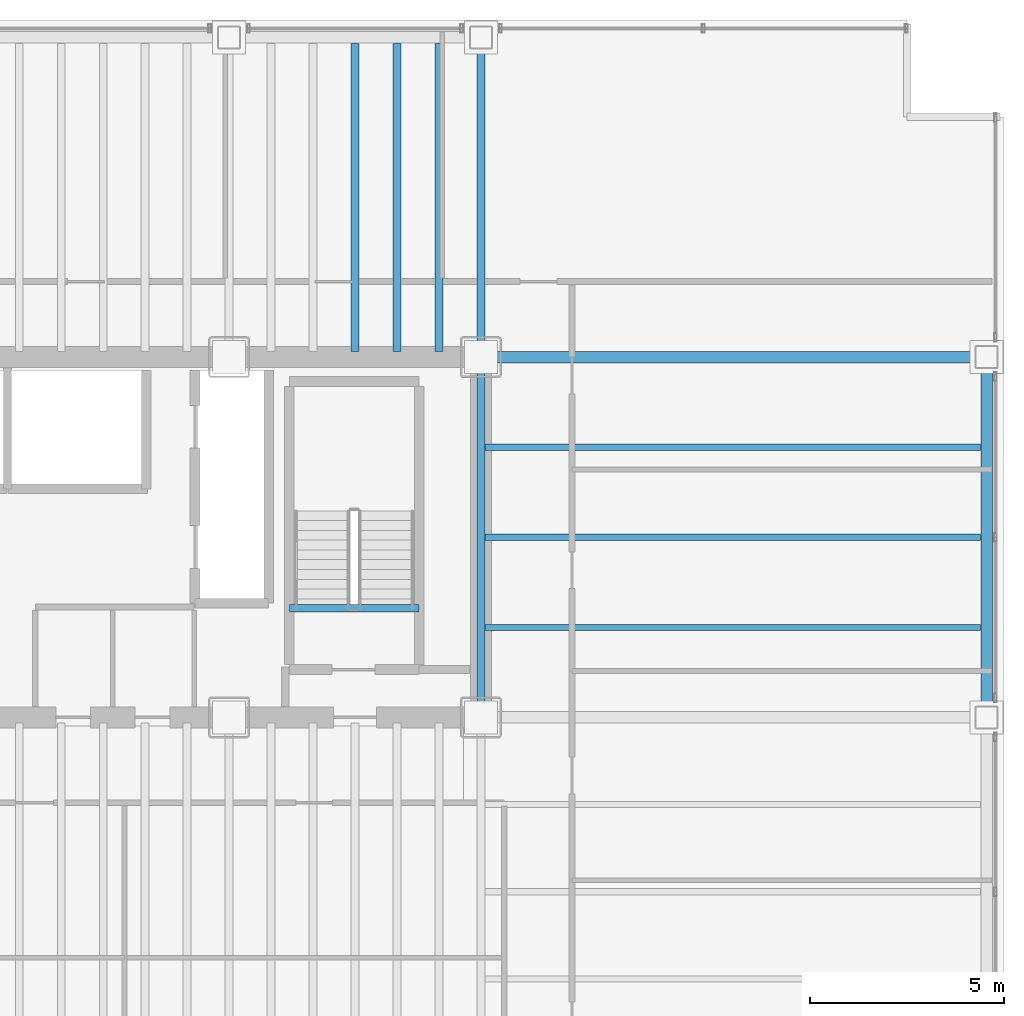
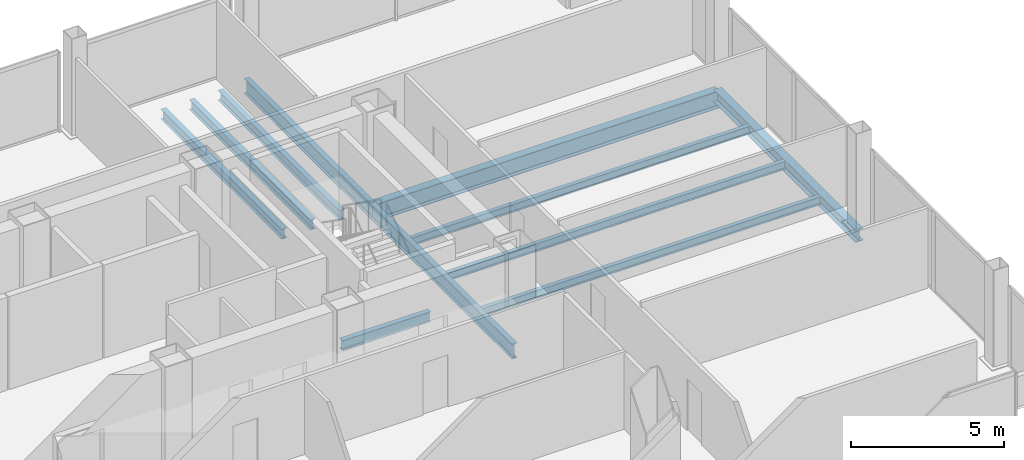
# One storey, part 11 of 20: 11 beams.
"""IFC4 building model written with IfcOpenShell, lengths in metres."""

import ifcopenshell
import ifcopenshell.guid

model = None  # the IFC model being written
_history = None  # IfcOwnerHistory: only IFC2X3 demands one
_inside = {}  # id of a spatial element -> (the spatial element, [elements in it])
_under = {}  # id of a project, library or spatial element -> (it, [spatial elements below it])
_declared = {}  # id of a project -> (the project, [libraries it declares])
_typed = {}  # id of a type object -> (the type object, [elements of that type])
_made_of = {}  # id of a material, layer set ... -> (it, [elements and type objects made of it])


def new_model(schema):
    """Start an empty IFC model of exactly this schema.

    Asked for "IFC4X3", IfcOpenShell would pick the latest addendum, in which some entities
    have other attributes; the version numbers below select the first issue.
    IFC2X3 requires an IfcOwnerHistory on every rooted entity: one is made here for all.
    """
    global model, _history
    if schema == "IFC4X3":
        model = ifcopenshell.file(schema_version=(4, 3, 0, 0))
    else:
        model = ifcopenshell.file(schema=schema)
    _inside.clear()
    _under.clear()
    _declared.clear()
    _typed.clear()
    _made_of.clear()
    _history = None
    if model.schema == "IFC2X3":
        org = make("IfcOrganization", Name="unknown")
        user = make(
            "IfcPersonAndOrganization",
            ThePerson=make("IfcPerson", FamilyName="unknown"),
            TheOrganization=org,
        )
        app = make(
            "IfcApplication",
            ApplicationDeveloper=org,
            Version="unknown",
            ApplicationFullName="unknown",
            ApplicationIdentifier="unknown",
        )
        _history = make(
            "IfcOwnerHistory",
            OwningUser=user,
            OwningApplication=app,
            ChangeAction="ADDED",
            CreationDate=0,
        )
    return model


def make(cls, **values):
    """One entity of the class cls with the attributes given. An attribute that is None is left unset."""
    return model.create_entity(
        cls, **{name: value for name, value in values.items() if value is not None}
    )


def rooted(cls, **values):
    """An entity with a GlobalId (a new one), such as an element, a storey or a relation."""
    return make(cls, GlobalId=ifcopenshell.guid.new(), OwnerHistory=_history, **values)


def si_unit(unit_type, name, prefix=None):
    """IfcSIUnit, for example si_unit("LENGTHUNIT", "METRE", prefix="MILLI")."""
    return make("IfcSIUnit", UnitType=unit_type, Prefix=prefix, Name=name)


def assignment(units):
    """IfcUnitAssignment: the units of a project."""
    return None if units is None else make("IfcUnitAssignment", Units=units)


def point(xyz):
    """IfcCartesianPoint."""
    return None if xyz is None else make("IfcCartesianPoint", Coordinates=xyz)


def direction(xyz):
    """IfcDirection."""
    return None if xyz is None else make("IfcDirection", DirectionRatios=xyz)


def frame(location, z_axis=None, x_axis=None):
    """IfcAxis2Placement3D, a coordinate frame: its origin and axes. An axis left out is left unset."""
    return make(
        "IfcAxis2Placement3D",
        Location=point(location),
        Axis=direction(z_axis),
        RefDirection=direction(x_axis),
    )


def frame_2d(location, x_axis=None):
    """IfcAxis2Placement2D, a coordinate frame in the plane: its origin and x axis."""
    return make(
        "IfcAxis2Placement2D", Location=point(location), RefDirection=direction(x_axis)
    )


def origin():
    """The frame at (0, 0, 0) with its axes left unset."""
    return frame((0.0, 0.0, 0.0))


def origin_2d():
    """The frame at (0, 0) in the plane with its x axis left unset."""
    return frame_2d((0.0, 0.0))


def place(relative_to, where):
    """IfcLocalPlacement: puts the frame where relative to a parent placement (None: the world)."""
    return make(
        "IfcLocalPlacement", PlacementRelTo=relative_to, RelativePlacement=where
    )


def context(
    kind, dimensions, precision=None, world=None, true_north=None, identifier=None
):
    """IfcGeometricRepresentationContext, for example the 3D "Model" context."""
    return make(
        "IfcGeometricRepresentationContext",
        ContextIdentifier=identifier,
        ContextType=kind,
        CoordinateSpaceDimension=dimensions,
        Precision=precision,
        WorldCoordinateSystem=world,
        TrueNorth=true_north,
    )


def subcontext(parent, identifier, kind, view, scale=None):
    """IfcGeometricRepresentationSubContext, for example "Body" below "Model"."""
    return make(
        "IfcGeometricRepresentationSubContext",
        ContextIdentifier=identifier,
        ContextType=kind,
        ParentContext=parent,
        TargetScale=scale,
        TargetView=view,
    )


def project(units=None, contexts=None):
    """IfcProject with its units and contexts."""
    return rooted(
        "IfcProject",
        Name="project",
        RepresentationContexts=contexts,
        UnitsInContext=assignment(units),
    )


def spatial(cls, under=None, at=None, **own):
    """A site, building, storey or space (cls), placed at a placement, below another one or the project."""
    s = rooted(cls, ObjectPlacement=at, **own)
    if under is not None:
        _under.setdefault(under.id(), (under, []))[1].append(s)
    return s


def profile(cls, at=None, kind="AREA", **sizes):
    """A parametric profile (cls). Its sizes go by their IFC names, for example OverallWidth=200.0."""
    return make(cls, ProfileType=kind, Position=at, **sizes)


def i_section(**sizes):
    """IfcIShapeProfileDef."""
    return profile("IfcIShapeProfileDef", **sizes)


def extrude(swept, where, along, depth):
    """IfcExtrudedAreaSolid: the profile swept, set in the frame where, extruded along a direction by depth."""
    return make(
        "IfcExtrudedAreaSolid",
        SweptArea=swept,
        Position=where,
        ExtrudedDirection=direction(along),
        Depth=depth,
    )


def shape(context_of_items, identifier, shape_type, items):
    """IfcShapeRepresentation: the items that make up one representation, for example the "Body"."""
    return make(
        "IfcShapeRepresentation",
        ContextOfItems=context_of_items,
        RepresentationIdentifier=identifier,
        RepresentationType=shape_type,
        Items=items,
    )


def material(Name=None, Category=None):
    """IfcMaterial."""
    return make("IfcMaterial", Name=Name, Category=Category)


def material_profile(
    of_material, cross_section, Name=None, Category=None, Priority=None
):
    """IfcMaterialProfile: a cross section and its material."""
    return make(
        "IfcMaterialProfile",
        Name=Name,
        Material=of_material,
        Profile=cross_section,
        Priority=Priority,
        Category=Category,
    )


def profile_set(profiles, Name=None, composite=None):
    """IfcMaterialProfileSet."""
    return make(
        "IfcMaterialProfileSet",
        Name=Name,
        MaterialProfiles=profiles,
        CompositeProfile=composite,
    )


def made_of(thing, what):
    """Note that an element or type object is made of a material, layer set ...; save() writes the relation."""
    if what is not None:
        _made_of.setdefault(what.id(), (what, []))[1].append(thing)
    return thing


def type_object(cls, material=None, **own):
    """A type object (cls), such as IfcWallType, which elements share."""
    return made_of(rooted(cls, **own), material)


def element(
    cls,
    number,
    at=None,
    inside=None,
    cuts=None,
    type_object=None,
    material=None,
    context=None,
    identifier="Body",
    shape_type=None,
    held_by="IfcProductDefinitionShape",
    body=None,
    shapes=None,
    **own,
):
    """One element of the class cls, such as IfcWall. Its Tag is "e" and its number.

    at: its placement. inside: the storey or other place that contains it. cuts: it is an
    opening in that element (IfcRelVoidsElement). A single representation is given by context,
    identifier, shape_type and body (its items); several are given by shapes. held_by: the class
    of the entity that holds the representations. save() writes the other relations.
    """
    e = rooted(cls, Tag="e%d" % number, ObjectPlacement=at, **own)
    if body is not None:
        shapes = [shape(context, identifier, shape_type, body)]
    if shapes is not None:
        e.Representation = make(held_by, Representations=shapes)
    if inside is not None:
        _inside.setdefault(inside.id(), (inside, []))[1].append(e)
    if cuts is not None:
        rooted(
            "IfcRelVoidsElement", RelatingBuildingElement=cuts, RelatedOpeningElement=e
        )
    if type_object is not None:
        _typed.setdefault(type_object.id(), (type_object, []))[1].append(e)
    return made_of(e, material)


def aggregate(whole, parts):
    """IfcRelAggregates: a whole, such as a stair, and the parts it consists of."""
    return rooted("IfcRelAggregates", RelatingObject=whole, RelatedObjects=parts)


def save(model, path):
    """Write the relations noted so far, then the file.

    IfcRelAggregates (storeys below a building ...), IfcRelContainedInSpatialStructure (elements
    in a storey), IfcRelDefinesByType, IfcRelAssociatesMaterial and IfcRelDeclares: one each for
    every whole, place, type object, material and project.
    """
    for whole, parts in _under.values():
        aggregate(whole, parts)
    for where, things in _inside.values():
        rooted(
            "IfcRelContainedInSpatialStructure",
            RelatedElements=things,
            RelatingStructure=where,
        )
    for kind, things in _typed.values():
        rooted("IfcRelDefinesByType", RelatedObjects=things, RelatingType=kind)
    for what, things in _made_of.values():
        rooted("IfcRelAssociatesMaterial", RelatedObjects=things, RelatingMaterial=what)
    for by, libraries in _declared.values():
        rooted("IfcRelDeclares", RelatingContext=by, RelatedDefinitions=libraries)
    model.write(path)


model = new_model("IFC4")

# Units and contexts
model_context = context("Model", 3, precision=1e-05, world=origin(), true_north=direction((0.0, 1.0)))
body_context = subcontext(model_context, "Body", "Model", "MODEL_VIEW")
ifc_project = project(units=[si_unit("LENGTHUNIT", "METRE"), si_unit("AREAUNIT", "SQUARE_METRE"), si_unit("VOLUMEUNIT", "CUBIC_METRE"), si_unit("PLANEANGLEUNIT", "RADIAN"), si_unit("MASSUNIT", "GRAM", prefix="KILO")], contexts=[model_context])

# Site, building, storey
site_placement = place(None, origin())
site = spatial("IfcSite", under=ifc_project, at=site_placement, CompositionType="ELEMENT")
building_placement = place(site_placement, origin())
building = spatial("IfcBuilding", under=site, at=building_placement, Name="Noeulbin Bourse Tower", CompositionType="ELEMENT")
storey_placement = place(building_placement, frame((0.0, 0.0, 65.5)))
storey = spatial("IfcBuildingStorey", under=building, at=storey_placement, Name="L16", CompositionType="ELEMENT", Elevation=65.5)

# Beams
ifc_material = material(Name="Steel S355", Category="steel")
ifc_material_profile_1 = material_profile(ifc_material, i_section(OverallWidth=0.199951171875, OverallDepth=0.60009765625, WebThickness=0.010986328125, FlangeThickness=0.01708984375, FilletRadius=0.02197265625, at=origin_2d()), Name="H-600x200x11x17", Category="LoadBearing")
ifc_profile_set_1 = profile_set([ifc_material_profile_1], Name="Steel S355")
beam_type_1 = type_object("IfcBeamType", Name="BM-GRD-600", PredefinedType="USERDEFINED", material=ifc_profile_set_1)
beam_1_placement = place(storey_placement, frame((44.0, 29.0, -0.47998046875), z_axis=(0.0, 1.0, 0.0), x_axis=(-1.0, 0.0, 0.0)))
element("IfcBeam", 1, at=beam_1_placement, inside=storey, type_object=beam_type_1, Name="Tower Primary Girder NS L16-5.3", ObjectType="GIRDER", PredefinedType="USERDEFINED", context=body_context, shape_type="SweptSolid", body=[
    extrude(i_section(OverallWidth=0.199951171875, OverallDepth=0.60009765625, WebThickness=0.010986328125, FlangeThickness=0.01708984375, FilletRadius=0.02197265625, at=origin_2d()), origin(), (0.0, 0.0, 1.0), 9.300048828125),
])
beam_2_placement = place(storey_placement, frame((44.0, 38.300048828125, -0.47998046875), z_axis=(0.0, 1.0, 0.0), x_axis=(-1.0, 0.0, 0.0)))
element("IfcBeam", 2, at=beam_2_placement, inside=storey, type_object=beam_type_1, Name="Tower Primary Girder NS L16-5.4", ObjectType="GIRDER", PredefinedType="USERDEFINED", context=body_context, shape_type="SweptSolid", body=[
    extrude(i_section(OverallWidth=0.199951171875, OverallDepth=0.60009765625, WebThickness=0.010986328125, FlangeThickness=0.01708984375, FilletRadius=0.02197265625, at=origin_2d()), origin(), (0.0, 0.0, 1.0), 8.25),
])
ifc_material_profile_2 = material_profile(ifc_material, i_section(OverallWidth=0.300048828125, OverallDepth=0.699951171875, WebThickness=0.012939453125, FlangeThickness=0.02392578125, FilletRadius=0.02392578125, at=origin_2d()), Name="H-700x300x13x24", Category="LoadBearing")
ifc_profile_set_2 = profile_set([ifc_material_profile_2], Name="Steel S355")
beam_type_2 = type_object("IfcBeamType", Name="BM-GRD-700", PredefinedType="USERDEFINED", material=ifc_profile_set_2)
beam_3_placement = place(storey_placement, frame((44.0, 38.300048828125, -0.530029296875), z_axis=(1.0, 0.0, 0.0), x_axis=(0.0, 1.0, 0.0)))
element("IfcBeam", 3, at=beam_3_placement, inside=storey, type_object=beam_type_2, Name="Tower Primary Girder EW L16-3.6", ObjectType="GIRDER", PredefinedType="USERDEFINED", context=body_context, shape_type="SweptSolid", body=[
    extrude(i_section(OverallWidth=0.300048828125, OverallDepth=0.699951171875, WebThickness=0.012939453125, FlangeThickness=0.02392578125, FilletRadius=0.02392578125, at=origin_2d()), origin(), (0.0, 0.0, 1.0), 13.050048828125),
])
ifc_material_profile_3 = material_profile(ifc_material, i_section(OverallWidth=0.159912109375, OverallDepth=0.320068359375, WebThickness=0.006591796875, FlangeThickness=0.010009765625, FilletRadius=0.012939453125, at=origin_2d()), Name="H-320x160x6.5x10", Category="LoadBearing")
ifc_profile_set_3 = profile_set([ifc_material_profile_3], Name="Steel S355")
beam_type_3 = type_object("IfcBeamType", Name="BM-JST-320", PredefinedType="JOIST", material=ifc_profile_set_3)
for number, where, z_axis, x_axis, name in (
    (4, (44.10009765625, 31.324951171875, -0.340087890625), (1.0, 0.0, 0.0), (0.0, 1.0, 0.0), "Wing Composite Joist L16-E79"),
    (5, (44.10009765625, 33.64990234375, -0.340087890625), (1.0, 0.0, 0.0), (0.0, 1.0, 0.0), "Wing Composite Joist L16-E80"),
    (6, (44.10009765625, 35.97509765625, -0.340087890625), (1.0, 0.0, 0.0), (0.0, 1.0, 0.0), "Wing Composite Joist L16-E81"),
):
    element("IfcBeam", number, at=place(storey_placement, frame(where, z_axis=z_axis, x_axis=x_axis)), inside=storey, type_object=beam_type_3, Name=name, PredefinedType="JOIST", context=body_context, shape_type="SweptSolid", body=[
        extrude(i_section(OverallWidth=0.159912109375, OverallDepth=0.320068359375, WebThickness=0.006591796875, FlangeThickness=0.010009765625, FilletRadius=0.012939453125, at=origin_2d()), origin(), (0.0, 0.0, 1.0), 12.7998046875),
    ])
ifc_material_profile_4 = material_profile(ifc_material, i_section(OverallWidth=0.199951171875, OverallDepth=0.39990234375, WebThickness=0.008056640625, FlangeThickness=0.012939453125, FilletRadius=0.01611328125, at=origin_2d()), Name="H-400x200x8x13", Category="LoadBearing")
ifc_profile_set_4 = profile_set([ifc_material_profile_4], Name="Steel S355")
beam_type_4 = type_object("IfcBeamType", Name="BM-SEC-400", PredefinedType="BEAM", material=ifc_profile_set_4)
for number, where, z_axis, x_axis, name in (
    (7, (40.75, 38.449951171875, -0.3798828125), (0.0, 1.0, 0.0), (-1.0, 0.0, 0.0), "Tower Composite Joist L16-63"),
    (8, (41.833251953125, 38.449951171875, -0.3798828125), (0.0, 1.0, 0.0), (-1.0, 0.0, 0.0), "Tower Composite Joist L16-66"),
    (9, (42.916748046875, 38.449951171875, -0.3798828125), (0.0, 1.0, 0.0), (-1.0, 0.0, 0.0), "Tower Composite Joist L16-69"),
):
    element("IfcBeam", number, at=place(storey_placement, frame(where, z_axis=z_axis, x_axis=x_axis)), inside=storey, type_object=beam_type_4, Name=name, PredefinedType="BEAM", context=body_context, shape_type="SweptSolid", body=[
        extrude(i_section(OverallWidth=0.199951171875, OverallDepth=0.39990234375, WebThickness=0.008056640625, FlangeThickness=0.012939453125, FilletRadius=0.01611328125, at=origin_2d()), origin(), (0.0, 0.0, 1.0), 7.949951171875),
    ])
beam_4_placement = place(storey_placement, frame((39.06005859375, 31.820068359375, -0.199951171875), z_axis=(1.0, 0.0, 0.0), x_axis=(0.0, 1.0, 0.0)))
element("IfcBeam", 10, at=beam_4_placement, inside=storey, type_object=beam_type_4, Name="Stair Threshold Trimmer Beam ST2-L16", PredefinedType="BEAM", context=body_context, shape_type="SweptSolid", body=[
    extrude(i_section(OverallWidth=0.199951171875, OverallDepth=0.39990234375, WebThickness=0.008056640625, FlangeThickness=0.012939453125, FilletRadius=0.01611328125, at=origin_2d()), origin(), (0.0, 0.0, 1.0), 3.33984375),
])
ifc_material_profile_5 = material_profile(ifc_material, i_section(OverallWidth=0.300048828125, OverallDepth=0.488037109375, WebThickness=0.010986328125, FlangeThickness=0.01806640625, FilletRadius=0.02197265625, at=origin_2d()), Name="H-488x300x11x18", Category="LoadBearing")
ifc_profile_set_5 = profile_set([ifc_material_profile_5], Name="Steel S355")
beam_type_5 = type_object("IfcBeamType", Name="BM-SPN-488", PredefinedType="SPANDREL", material=ifc_profile_set_5)
beam_5_placement = place(storey_placement, frame((57.050048828125, 29.0, -0.424072265625), z_axis=(0.0, 1.0, 0.0), x_axis=(-1.0, 0.0, 0.0)))
element("IfcBeam", 11, at=beam_5_placement, inside=storey, type_object=beam_type_5, Name="East Spandrel L16-2", PredefinedType="SPANDREL", context=body_context, shape_type="SweptSolid", body=[
    extrude(i_section(OverallWidth=0.300048828125, OverallDepth=0.488037109375, WebThickness=0.010986328125, FlangeThickness=0.01806640625, FilletRadius=0.02197265625, at=origin_2d()), origin(), (0.0, 0.0, 1.0), 9.300048828125),
])

save(model, "model.ifc")
